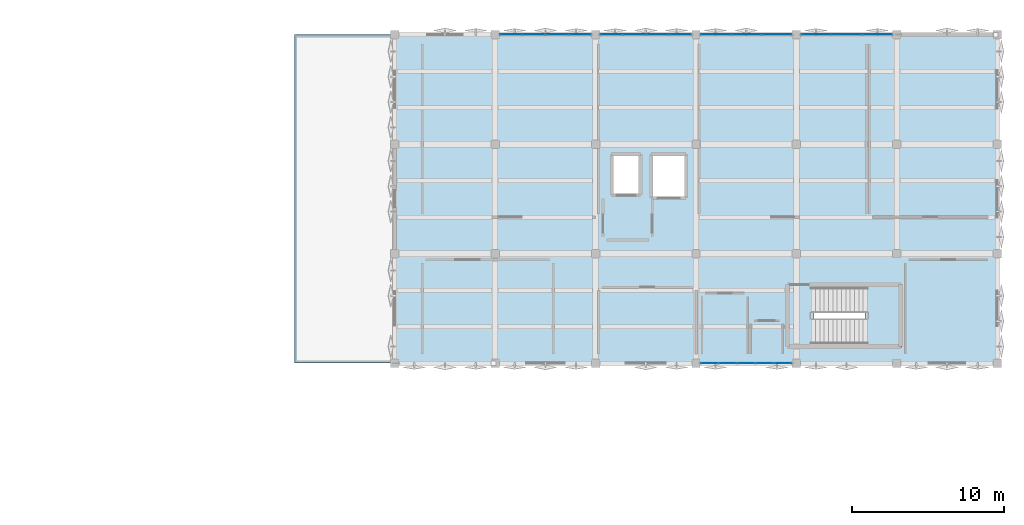
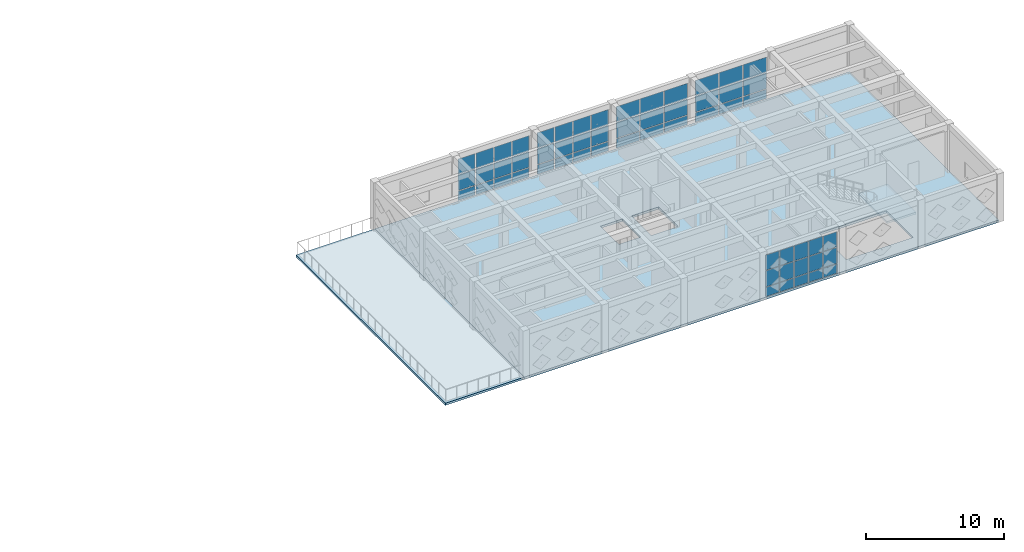
# One storey, part 24 of 39: 57 plates, 3 slabs, 6 elements without a shape of their own.
"""IFC4 building model written with IfcOpenShell, lengths in metres."""

from ifc_helpers import new_model, si_unit, direction, frame, origin, origin_2d, place, context, subcontext, project, spatial, polyline, rectangle, outline, extrude, material, layer, layer_set, type_object, element, aggregate, save


model = new_model("IFC4")

# Units and contexts
model_context = context("Model", 3, precision=1e-05, world=origin(), true_north=direction((0.0, 1.0)))
body_context = subcontext(model_context, "Body", "Model", "MODEL_VIEW")
ifc_project = project(units=[si_unit("LENGTHUNIT", "METRE"), si_unit("AREAUNIT", "SQUARE_METRE"), si_unit("VOLUMEUNIT", "CUBIC_METRE"), si_unit("PLANEANGLEUNIT", "RADIAN"), si_unit("MASSUNIT", "GRAM", prefix="KILO")], contexts=[model_context])

# Site, building, storey
site_placement = place(None, origin())
site = spatial("IfcSite", under=ifc_project, at=site_placement, CompositionType="ELEMENT")
building_placement = place(site_placement, origin())
building = spatial("IfcBuilding", under=site, at=building_placement, Name="Kharisveld Research Institute", CompositionType="ELEMENT")
storey_placement = place(building_placement, frame((0.0, 0.0, 23.10009765625)))
storey = spatial("IfcBuildingStorey", under=building, at=storey_placement, Name="L05", CompositionType="ELEMENT", Elevation=23.10009765625)

# Curtain wall, plates
ifc_material_1 = material(Name="Thermally Broken Aluminium Curtain Wall", Category="aluminium")
ifc_layer_1 = layer(ifc_material_1, 0.159912109375)
ifc_layer_set_1 = layer_set([ifc_layer_1], Name="CW_SYS_03")
curtain_wall_type_1 = type_object("IfcCurtainWallType", Name="CW_SYS_03", PredefinedType="NOTDEFINED", material=ifc_layer_set_1)
curtain_wall_1_placement = place(storey_placement, origin())
curtain_wall_1 = element("IfcCurtainWall", 1, at=curtain_wall_1_placement, inside=storey, type_object=curtain_wall_type_1, Name="CW:V2:L05:N2", PredefinedType="NOTDEFINED")
ifc_material_2 = material(Name="Low-E Double Glazing", Category="glass")
ifc_layer_2 = layer(ifc_material_2, 0.028076171875)
ifc_layer_set_2 = layer_set([ifc_layer_2], Name="CW_PNL_GLZ")
plate_type = type_object("IfcPlateType", Name="CW_PNL_GLZ", PredefinedType="CURTAIN_PANEL", material=ifc_layer_set_2)
plate_1_placement = place(storey_placement, frame((128.84375, 60.800048828125, 0.059814453125), z_axis=(0.0, 0.0, 1.0), x_axis=(1.0, 0.0, 0.0)))
plate_1 = element("IfcPlate", 2, at=plate_1_placement, type_object=plate_type, Name="CW-03 panel 1.1", PredefinedType="CURTAIN_PANEL", context=body_context, shape_type="SweptSolid", body=[
    extrude(rectangle(XDim=1.41748046875, YDim=0.028076171875, at=origin_2d()), origin(), (0.0, 0.0, 1.0), 0.81005859375),
])
plate_2_placement = place(storey_placement, frame((128.84375, 60.800048828125, 0.93017578125), z_axis=(0.0, 0.0, 1.0), x_axis=(1.0, 0.0, 0.0)))
plate_2 = element("IfcPlate", 3, at=plate_2_placement, type_object=plate_type, Name="CW-03 panel 1.2", PredefinedType="CURTAIN_PANEL", context=body_context, shape_type="SweptSolid", body=[
    extrude(rectangle(XDim=1.41748046875, YDim=0.028076171875, at=origin_2d()), origin(), (0.0, 0.0, 1.0), 1.389892578125),
])
plate_3_placement = place(storey_placement, frame((128.84375, 60.800048828125, 2.3798828125), z_axis=(0.0, 0.0, 1.0), x_axis=(1.0, 0.0, 0.0)))
plate_3 = element("IfcPlate", 4, at=plate_3_placement, type_object=plate_type, Name="CW-03 panel 1.3", PredefinedType="CURTAIN_PANEL", context=body_context, shape_type="SweptSolid", body=[
    extrude(rectangle(XDim=1.41748046875, YDim=0.028076171875, at=origin_2d()), origin(), (0.0, 0.0, 1.0), 1.340087890625),
])
plate_4_placement = place(storey_placement, frame((130.342529296875, 60.800048828125, 0.059814453125), z_axis=(0.0, 0.0, 1.0), x_axis=(1.0, 0.0, 0.0)))
plate_4 = element("IfcPlate", 5, at=plate_4_placement, type_object=plate_type, Name="CW-03 panel 2.1", PredefinedType="CURTAIN_PANEL", context=body_context, shape_type="SweptSolid", body=[
    extrude(rectangle(XDim=1.449951171875, YDim=0.028076171875, at=origin_2d()), origin(), (0.0, 0.0, 1.0), 0.81005859375),
])
plate_5_placement = place(storey_placement, frame((130.342529296875, 60.800048828125, 0.93017578125), z_axis=(0.0, 0.0, 1.0), x_axis=(1.0, 0.0, 0.0)))
plate_5 = element("IfcPlate", 6, at=plate_5_placement, type_object=plate_type, Name="CW-03 panel 2.2", PredefinedType="CURTAIN_PANEL", context=body_context, shape_type="SweptSolid", body=[
    extrude(rectangle(XDim=1.449951171875, YDim=0.028076171875, at=origin_2d()), origin(), (0.0, 0.0, 1.0), 1.389892578125),
])
plate_6_placement = place(storey_placement, frame((130.342529296875, 60.800048828125, 2.3798828125), z_axis=(0.0, 0.0, 1.0), x_axis=(1.0, 0.0, 0.0)))
plate_6 = element("IfcPlate", 7, at=plate_6_placement, type_object=plate_type, Name="CW-03 panel 2.3", PredefinedType="CURTAIN_PANEL", context=body_context, shape_type="SweptSolid", body=[
    extrude(rectangle(XDim=1.449951171875, YDim=0.028076171875, at=origin_2d()), origin(), (0.0, 0.0, 1.0), 1.340087890625),
])
plate_7_placement = place(storey_placement, frame((131.857421875, 60.800048828125, 0.059814453125), z_axis=(0.0, 0.0, 1.0), x_axis=(1.0, 0.0, 0.0)))
plate_7 = element("IfcPlate", 8, at=plate_7_placement, type_object=plate_type, Name="CW-03 panel 3.1", PredefinedType="CURTAIN_PANEL", context=body_context, shape_type="SweptSolid", body=[
    extrude(rectangle(XDim=1.449951171875, YDim=0.028076171875, at=origin_2d()), origin(), (0.0, 0.0, 1.0), 0.81005859375),
])
plate_8_placement = place(storey_placement, frame((131.857421875, 60.800048828125, 0.93017578125), z_axis=(0.0, 0.0, 1.0), x_axis=(1.0, 0.0, 0.0)))
plate_8 = element("IfcPlate", 9, at=plate_8_placement, type_object=plate_type, Name="CW-03 panel 3.2", PredefinedType="CURTAIN_PANEL", context=body_context, shape_type="SweptSolid", body=[
    extrude(rectangle(XDim=1.449951171875, YDim=0.028076171875, at=origin_2d()), origin(), (0.0, 0.0, 1.0), 1.389892578125),
])
plate_9_placement = place(storey_placement, frame((131.857421875, 60.800048828125, 2.3798828125), z_axis=(0.0, 0.0, 1.0), x_axis=(1.0, 0.0, 0.0)))
plate_9 = element("IfcPlate", 10, at=plate_9_placement, type_object=plate_type, Name="CW-03 panel 3.3", PredefinedType="CURTAIN_PANEL", context=body_context, shape_type="SweptSolid", body=[
    extrude(rectangle(XDim=1.449951171875, YDim=0.028076171875, at=origin_2d()), origin(), (0.0, 0.0, 1.0), 1.340087890625),
])
plate_10_placement = place(storey_placement, frame((133.356201171875, 60.800048828125, 0.059814453125), z_axis=(0.0, 0.0, 1.0), x_axis=(1.0, 0.0, 0.0)))
plate_10 = element("IfcPlate", 11, at=plate_10_placement, type_object=plate_type, Name="CW-03 panel 4.1", PredefinedType="CURTAIN_PANEL", context=body_context, shape_type="SweptSolid", body=[
    extrude(rectangle(XDim=1.41748046875, YDim=0.028076171875, at=origin_2d()), origin(), (0.0, 0.0, 1.0), 0.81005859375),
])
plate_11_placement = place(storey_placement, frame((133.356201171875, 60.800048828125, 0.93017578125), z_axis=(0.0, 0.0, 1.0), x_axis=(1.0, 0.0, 0.0)))
plate_11 = element("IfcPlate", 12, at=plate_11_placement, type_object=plate_type, Name="CW-03 panel 4.2", PredefinedType="CURTAIN_PANEL", context=body_context, shape_type="SweptSolid", body=[
    extrude(rectangle(XDim=1.41748046875, YDim=0.028076171875, at=origin_2d()), origin(), (0.0, 0.0, 1.0), 1.389892578125),
])
plate_12_placement = place(storey_placement, frame((133.356201171875, 60.800048828125, 2.3798828125), z_axis=(0.0, 0.0, 1.0), x_axis=(1.0, 0.0, 0.0)))
plate_12 = element("IfcPlate", 13, at=plate_12_placement, type_object=plate_type, Name="CW-03 panel 4.3", PredefinedType="CURTAIN_PANEL", context=body_context, shape_type="SweptSolid", body=[
    extrude(rectangle(XDim=1.41748046875, YDim=0.028076171875, at=origin_2d()), origin(), (0.0, 0.0, 1.0), 1.340087890625),
])
aggregate(curtain_wall_1, [plate_1, plate_2, plate_3, plate_4, plate_5, plate_6, plate_7, plate_8, plate_9, plate_10, plate_11, plate_12])

ifc_material_3 = material(Name="Thermally Broken Aluminium Curtain Wall", Category="aluminium")
ifc_layer_3 = layer(ifc_material_3, 0.159912109375)
ifc_layer_set_3 = layer_set([ifc_layer_3], Name="CW_SYS_04")
curtain_wall_type_2 = type_object("IfcCurtainWallType", Name="CW_SYS_04", PredefinedType="NOTDEFINED", material=ifc_layer_set_3)
curtain_wall_2_placement = place(storey_placement, origin())
curtain_wall_2 = element("IfcCurtainWall", 14, at=curtain_wall_2_placement, inside=storey, type_object=curtain_wall_type_2, Name="CW:V2:L05:N3", PredefinedType="NOTDEFINED")
plate_13_placement = place(storey_placement, frame((135.44384765625, 60.800048828125, 0.059814453125), z_axis=(0.0, 0.0, 1.0), x_axis=(1.0, 0.0, 0.0)))
plate_13 = element("IfcPlate", 15, at=plate_13_placement, type_object=plate_type, Name="CW-04 panel 1.1", PredefinedType="CURTAIN_PANEL", context=body_context, shape_type="SweptSolid", body=[
    extrude(rectangle(XDim=1.41748046875, YDim=0.028076171875, at=origin_2d()), origin(), (0.0, 0.0, 1.0), 0.81005859375),
])
plate_14_placement = place(storey_placement, frame((135.44384765625, 60.800048828125, 0.93017578125), z_axis=(0.0, 0.0, 1.0), x_axis=(1.0, 0.0, 0.0)))
plate_14 = element("IfcPlate", 16, at=plate_14_placement, type_object=plate_type, Name="CW-04 panel 1.2", PredefinedType="CURTAIN_PANEL", context=body_context, shape_type="SweptSolid", body=[
    extrude(rectangle(XDim=1.41748046875, YDim=0.028076171875, at=origin_2d()), origin(), (0.0, 0.0, 1.0), 1.389892578125),
])
plate_15_placement = place(storey_placement, frame((135.44384765625, 60.800048828125, 2.3798828125), z_axis=(0.0, 0.0, 1.0), x_axis=(1.0, 0.0, 0.0)))
plate_15 = element("IfcPlate", 17, at=plate_15_placement, type_object=plate_type, Name="CW-04 panel 1.3", PredefinedType="CURTAIN_PANEL", context=body_context, shape_type="SweptSolid", body=[
    extrude(rectangle(XDim=1.41748046875, YDim=0.028076171875, at=origin_2d()), origin(), (0.0, 0.0, 1.0), 1.340087890625),
])
plate_16_placement = place(storey_placement, frame((136.9423828125, 60.800048828125, 0.059814453125), z_axis=(0.0, 0.0, 1.0), x_axis=(1.0, 0.0, 0.0)))
plate_16 = element("IfcPlate", 18, at=plate_16_placement, type_object=plate_type, Name="CW-04 panel 2.1", PredefinedType="CURTAIN_PANEL", context=body_context, shape_type="SweptSolid", body=[
    extrude(rectangle(XDim=1.449951171875, YDim=0.028076171875, at=origin_2d()), origin(), (0.0, 0.0, 1.0), 0.81005859375),
])
plate_17_placement = place(storey_placement, frame((136.9423828125, 60.800048828125, 0.93017578125), z_axis=(0.0, 0.0, 1.0), x_axis=(1.0, 0.0, 0.0)))
plate_17 = element("IfcPlate", 19, at=plate_17_placement, type_object=plate_type, Name="CW-04 panel 2.2", PredefinedType="CURTAIN_PANEL", context=body_context, shape_type="SweptSolid", body=[
    extrude(rectangle(XDim=1.449951171875, YDim=0.028076171875, at=origin_2d()), origin(), (0.0, 0.0, 1.0), 1.389892578125),
])
plate_18_placement = place(storey_placement, frame((136.9423828125, 60.800048828125, 2.3798828125), z_axis=(0.0, 0.0, 1.0), x_axis=(1.0, 0.0, 0.0)))
plate_18 = element("IfcPlate", 20, at=plate_18_placement, type_object=plate_type, Name="CW-04 panel 2.3", PredefinedType="CURTAIN_PANEL", context=body_context, shape_type="SweptSolid", body=[
    extrude(rectangle(XDim=1.449951171875, YDim=0.028076171875, at=origin_2d()), origin(), (0.0, 0.0, 1.0), 1.340087890625),
])
plate_19_placement = place(storey_placement, frame((138.45751953125, 60.800048828125, 0.059814453125), z_axis=(0.0, 0.0, 1.0), x_axis=(1.0, 0.0, 0.0)))
plate_19 = element("IfcPlate", 21, at=plate_19_placement, type_object=plate_type, Name="CW-04 panel 3.1", PredefinedType="CURTAIN_PANEL", context=body_context, shape_type="SweptSolid", body=[
    extrude(rectangle(XDim=1.449951171875, YDim=0.028076171875, at=origin_2d()), origin(), (0.0, 0.0, 1.0), 0.81005859375),
])
plate_20_placement = place(storey_placement, frame((138.45751953125, 60.800048828125, 0.93017578125), z_axis=(0.0, 0.0, 1.0), x_axis=(1.0, 0.0, 0.0)))
plate_20 = element("IfcPlate", 22, at=plate_20_placement, type_object=plate_type, Name="CW-04 panel 3.2", PredefinedType="CURTAIN_PANEL", context=body_context, shape_type="SweptSolid", body=[
    extrude(rectangle(XDim=1.449951171875, YDim=0.028076171875, at=origin_2d()), origin(), (0.0, 0.0, 1.0), 1.389892578125),
])
plate_21_placement = place(storey_placement, frame((138.45751953125, 60.800048828125, 2.3798828125), z_axis=(0.0, 0.0, 1.0), x_axis=(1.0, 0.0, 0.0)))
plate_21 = element("IfcPlate", 23, at=plate_21_placement, type_object=plate_type, Name="CW-04 panel 3.3", PredefinedType="CURTAIN_PANEL", context=body_context, shape_type="SweptSolid", body=[
    extrude(rectangle(XDim=1.449951171875, YDim=0.028076171875, at=origin_2d()), origin(), (0.0, 0.0, 1.0), 1.340087890625),
])
plate_22_placement = place(storey_placement, frame((139.956298828125, 60.800048828125, 0.059814453125), z_axis=(0.0, 0.0, 1.0), x_axis=(1.0, 0.0, 0.0)))
plate_22 = element("IfcPlate", 24, at=plate_22_placement, type_object=plate_type, Name="CW-04 panel 4.1", PredefinedType="CURTAIN_PANEL", context=body_context, shape_type="SweptSolid", body=[
    extrude(rectangle(XDim=1.41748046875, YDim=0.028076171875, at=origin_2d()), origin(), (0.0, 0.0, 1.0), 0.81005859375),
])
plate_23_placement = place(storey_placement, frame((139.956298828125, 60.800048828125, 0.93017578125), z_axis=(0.0, 0.0, 1.0), x_axis=(1.0, 0.0, 0.0)))
plate_23 = element("IfcPlate", 25, at=plate_23_placement, type_object=plate_type, Name="CW-04 panel 4.2", PredefinedType="CURTAIN_PANEL", context=body_context, shape_type="SweptSolid", body=[
    extrude(rectangle(XDim=1.41748046875, YDim=0.028076171875, at=origin_2d()), origin(), (0.0, 0.0, 1.0), 1.389892578125),
])
plate_24_placement = place(storey_placement, frame((139.956298828125, 60.800048828125, 2.3798828125), z_axis=(0.0, 0.0, 1.0), x_axis=(1.0, 0.0, 0.0)))
plate_24 = element("IfcPlate", 26, at=plate_24_placement, type_object=plate_type, Name="CW-04 panel 4.3", PredefinedType="CURTAIN_PANEL", context=body_context, shape_type="SweptSolid", body=[
    extrude(rectangle(XDim=1.41748046875, YDim=0.028076171875, at=origin_2d()), origin(), (0.0, 0.0, 1.0), 1.340087890625),
])
aggregate(curtain_wall_2, [plate_13, plate_14, plate_15, plate_16, plate_17, plate_18, plate_19, plate_20, plate_21, plate_22, plate_23, plate_24])

ifc_material_4 = material(Name="Thermally Broken Aluminium Curtain Wall", Category="aluminium")
ifc_layer_4 = layer(ifc_material_4, 0.159912109375)
ifc_layer_set_4 = layer_set([ifc_layer_4], Name="CW_SYS_05")
curtain_wall_type_3 = type_object("IfcCurtainWallType", Name="CW_SYS_05", PredefinedType="NOTDEFINED", material=ifc_layer_set_4)
curtain_wall_3_placement = place(storey_placement, origin())
curtain_wall_3 = element("IfcCurtainWall", 27, at=curtain_wall_3_placement, inside=storey, type_object=curtain_wall_type_3, Name="CW:V2:L05:N4", PredefinedType="NOTDEFINED")
plate_25_placement = place(storey_placement, frame((142.296142578125, 60.800048828125, 0.059814453125), z_axis=(0.0, 0.0, 1.0), x_axis=(1.0, 0.0, 0.0)))
plate_25 = element("IfcPlate", 28, at=plate_25_placement, type_object=plate_type, Name="CW-05 panel 1.1", PredefinedType="CURTAIN_PANEL", context=body_context, shape_type="SweptSolid", body=[
    extrude(rectangle(XDim=1.922607421875, YDim=0.028076171875, at=origin_2d()), origin(), (0.0, 0.0, 1.0), 0.81005859375),
])
plate_26_placement = place(storey_placement, frame((142.296142578125, 60.800048828125, 0.93017578125), z_axis=(0.0, 0.0, 1.0), x_axis=(1.0, 0.0, 0.0)))
plate_26 = element("IfcPlate", 29, at=plate_26_placement, type_object=plate_type, Name="CW-05 panel 1.2", PredefinedType="CURTAIN_PANEL", context=body_context, shape_type="SweptSolid", body=[
    extrude(rectangle(XDim=1.922607421875, YDim=0.028076171875, at=origin_2d()), origin(), (0.0, 0.0, 1.0), 1.389892578125),
])
plate_27_placement = place(storey_placement, frame((142.296142578125, 60.800048828125, 2.3798828125), z_axis=(0.0, 0.0, 1.0), x_axis=(1.0, 0.0, 0.0)))
plate_27 = element("IfcPlate", 30, at=plate_27_placement, type_object=plate_type, Name="CW-05 panel 1.3", PredefinedType="CURTAIN_PANEL", context=body_context, shape_type="SweptSolid", body=[
    extrude(rectangle(XDim=1.922607421875, YDim=0.028076171875, at=origin_2d()), origin(), (0.0, 0.0, 1.0), 1.340087890625),
])
plate_28_placement = place(storey_placement, frame((144.300048828125, 60.800048828125, 0.059814453125), z_axis=(0.0, 0.0, 1.0), x_axis=(1.0, 0.0, 0.0)))
plate_28 = element("IfcPlate", 31, at=plate_28_placement, type_object=plate_type, Name="CW-05 panel 2.1", PredefinedType="CURTAIN_PANEL", context=body_context, shape_type="SweptSolid", body=[
    extrude(rectangle(XDim=1.955078125, YDim=0.028076171875, at=origin_2d()), origin(), (0.0, 0.0, 1.0), 0.81005859375),
])
plate_29_placement = place(storey_placement, frame((144.300048828125, 60.800048828125, 0.93017578125), z_axis=(0.0, 0.0, 1.0), x_axis=(1.0, 0.0, 0.0)))
plate_29 = element("IfcPlate", 32, at=plate_29_placement, type_object=plate_type, Name="CW-05 panel 2.2", PredefinedType="CURTAIN_PANEL", context=body_context, shape_type="SweptSolid", body=[
    extrude(rectangle(XDim=1.955078125, YDim=0.028076171875, at=origin_2d()), origin(), (0.0, 0.0, 1.0), 1.389892578125),
])
plate_30_placement = place(storey_placement, frame((144.300048828125, 60.800048828125, 2.3798828125), z_axis=(0.0, 0.0, 1.0), x_axis=(1.0, 0.0, 0.0)))
plate_30 = element("IfcPlate", 33, at=plate_30_placement, type_object=plate_type, Name="CW-05 panel 2.3", PredefinedType="CURTAIN_PANEL", context=body_context, shape_type="SweptSolid", body=[
    extrude(rectangle(XDim=1.955078125, YDim=0.028076171875, at=origin_2d()), origin(), (0.0, 0.0, 1.0), 1.340087890625),
])
plate_31_placement = place(storey_placement, frame((146.3037109375, 60.800048828125, 0.059814453125), z_axis=(0.0, 0.0, 1.0), x_axis=(1.0, 0.0, 0.0)))
plate_31 = element("IfcPlate", 34, at=plate_31_placement, type_object=plate_type, Name="CW-05 panel 3.1", PredefinedType="CURTAIN_PANEL", context=body_context, shape_type="SweptSolid", body=[
    extrude(rectangle(XDim=1.922607421875, YDim=0.028076171875, at=origin_2d()), origin(), (0.0, 0.0, 1.0), 0.81005859375),
])
plate_32_placement = place(storey_placement, frame((146.3037109375, 60.800048828125, 0.93017578125), z_axis=(0.0, 0.0, 1.0), x_axis=(1.0, 0.0, 0.0)))
plate_32 = element("IfcPlate", 35, at=plate_32_placement, type_object=plate_type, Name="CW-05 panel 3.2", PredefinedType="CURTAIN_PANEL", context=body_context, shape_type="SweptSolid", body=[
    extrude(rectangle(XDim=1.922607421875, YDim=0.028076171875, at=origin_2d()), origin(), (0.0, 0.0, 1.0), 1.389892578125),
])
plate_33_placement = place(storey_placement, frame((146.3037109375, 60.800048828125, 2.3798828125), z_axis=(0.0, 0.0, 1.0), x_axis=(1.0, 0.0, 0.0)))
plate_33 = element("IfcPlate", 36, at=plate_33_placement, type_object=plate_type, Name="CW-05 panel 3.3", PredefinedType="CURTAIN_PANEL", context=body_context, shape_type="SweptSolid", body=[
    extrude(rectangle(XDim=1.922607421875, YDim=0.028076171875, at=origin_2d()), origin(), (0.0, 0.0, 1.0), 1.340087890625),
])
aggregate(curtain_wall_3, [plate_25, plate_26, plate_27, plate_28, plate_29, plate_30, plate_31, plate_32, plate_33])

ifc_material_5 = material(Name="Thermally Broken Aluminium Curtain Wall", Category="aluminium")
ifc_layer_5 = layer(ifc_material_5, 0.159912109375)
ifc_layer_set_5 = layer_set([ifc_layer_5], Name="CW_SYS_06")
curtain_wall_type_4 = type_object("IfcCurtainWallType", Name="CW_SYS_06", PredefinedType="NOTDEFINED", material=ifc_layer_set_5)
curtain_wall_4_placement = place(storey_placement, origin())
curtain_wall_4 = element("IfcCurtainWall", 37, at=curtain_wall_4_placement, inside=storey, type_object=curtain_wall_type_4, Name="CW:V2:L05:N5", PredefinedType="NOTDEFINED")
plate_34_placement = place(storey_placement, frame((148.896240234375, 60.800048828125, 0.059814453125), z_axis=(0.0, 0.0, 1.0), x_axis=(1.0, 0.0, 0.0)))
plate_34 = element("IfcPlate", 38, at=plate_34_placement, type_object=plate_type, Name="CW-06 panel 1.1", PredefinedType="CURTAIN_PANEL", context=body_context, shape_type="SweptSolid", body=[
    extrude(rectangle(XDim=1.922607421875, YDim=0.028076171875, at=origin_2d()), origin(), (0.0, 0.0, 1.0), 0.81005859375),
])
plate_35_placement = place(storey_placement, frame((148.896240234375, 60.800048828125, 0.93017578125), z_axis=(0.0, 0.0, 1.0), x_axis=(1.0, 0.0, 0.0)))
plate_35 = element("IfcPlate", 39, at=plate_35_placement, type_object=plate_type, Name="CW-06 panel 1.2", PredefinedType="CURTAIN_PANEL", context=body_context, shape_type="SweptSolid", body=[
    extrude(rectangle(XDim=1.922607421875, YDim=0.028076171875, at=origin_2d()), origin(), (0.0, 0.0, 1.0), 1.389892578125),
])
plate_36_placement = place(storey_placement, frame((148.896240234375, 60.800048828125, 2.3798828125), z_axis=(0.0, 0.0, 1.0), x_axis=(1.0, 0.0, 0.0)))
plate_36 = element("IfcPlate", 40, at=plate_36_placement, type_object=plate_type, Name="CW-06 panel 1.3", PredefinedType="CURTAIN_PANEL", context=body_context, shape_type="SweptSolid", body=[
    extrude(rectangle(XDim=1.922607421875, YDim=0.028076171875, at=origin_2d()), origin(), (0.0, 0.0, 1.0), 1.340087890625),
])
plate_37_placement = place(storey_placement, frame((150.89990234375, 60.800048828125, 0.059814453125), z_axis=(0.0, 0.0, 1.0), x_axis=(1.0, 0.0, 0.0)))
plate_37 = element("IfcPlate", 41, at=plate_37_placement, type_object=plate_type, Name="CW-06 panel 2.1", PredefinedType="CURTAIN_PANEL", context=body_context, shape_type="SweptSolid", body=[
    extrude(rectangle(XDim=1.955078125, YDim=0.028076171875, at=origin_2d()), origin(), (0.0, 0.0, 1.0), 0.81005859375),
])
plate_38_placement = place(storey_placement, frame((150.89990234375, 60.800048828125, 0.93017578125), z_axis=(0.0, 0.0, 1.0), x_axis=(1.0, 0.0, 0.0)))
plate_38 = element("IfcPlate", 42, at=plate_38_placement, type_object=plate_type, Name="CW-06 panel 2.2", PredefinedType="CURTAIN_PANEL", context=body_context, shape_type="SweptSolid", body=[
    extrude(rectangle(XDim=1.955078125, YDim=0.028076171875, at=origin_2d()), origin(), (0.0, 0.0, 1.0), 1.389892578125),
])
plate_39_placement = place(storey_placement, frame((150.89990234375, 60.800048828125, 2.3798828125), z_axis=(0.0, 0.0, 1.0), x_axis=(1.0, 0.0, 0.0)))
plate_39 = element("IfcPlate", 43, at=plate_39_placement, type_object=plate_type, Name="CW-06 panel 2.3", PredefinedType="CURTAIN_PANEL", context=body_context, shape_type="SweptSolid", body=[
    extrude(rectangle(XDim=1.955078125, YDim=0.028076171875, at=origin_2d()), origin(), (0.0, 0.0, 1.0), 1.340087890625),
])
plate_40_placement = place(storey_placement, frame((152.90380859375, 60.800048828125, 0.059814453125), z_axis=(0.0, 0.0, 1.0), x_axis=(1.0, 0.0, 0.0)))
plate_40 = element("IfcPlate", 44, at=plate_40_placement, type_object=plate_type, Name="CW-06 panel 3.1", PredefinedType="CURTAIN_PANEL", context=body_context, shape_type="SweptSolid", body=[
    extrude(rectangle(XDim=1.922607421875, YDim=0.028076171875, at=origin_2d()), origin(), (0.0, 0.0, 1.0), 0.81005859375),
])
plate_41_placement = place(storey_placement, frame((152.90380859375, 60.800048828125, 0.93017578125), z_axis=(0.0, 0.0, 1.0), x_axis=(1.0, 0.0, 0.0)))
plate_41 = element("IfcPlate", 45, at=plate_41_placement, type_object=plate_type, Name="CW-06 panel 3.2", PredefinedType="CURTAIN_PANEL", context=body_context, shape_type="SweptSolid", body=[
    extrude(rectangle(XDim=1.922607421875, YDim=0.028076171875, at=origin_2d()), origin(), (0.0, 0.0, 1.0), 1.389892578125),
])
plate_42_placement = place(storey_placement, frame((152.90380859375, 60.800048828125, 2.3798828125), z_axis=(0.0, 0.0, 1.0), x_axis=(1.0, 0.0, 0.0)))
plate_42 = element("IfcPlate", 46, at=plate_42_placement, type_object=plate_type, Name="CW-06 panel 3.3", PredefinedType="CURTAIN_PANEL", context=body_context, shape_type="SweptSolid", body=[
    extrude(rectangle(XDim=1.922607421875, YDim=0.028076171875, at=origin_2d()), origin(), (0.0, 0.0, 1.0), 1.340087890625),
])
aggregate(curtain_wall_4, [plate_34, plate_35, plate_36, plate_37, plate_38, plate_39, plate_40, plate_41, plate_42])

ifc_material_6 = material(Name="Thermally Broken Aluminium Curtain Wall", Category="aluminium")
ifc_layer_6 = layer(ifc_material_6, 0.159912109375)
ifc_layer_set_6 = layer_set([ifc_layer_6], Name="CW_SYS_01")
curtain_wall_type_5 = type_object("IfcCurtainWallType", Name="CW_SYS_01", PredefinedType="NOTDEFINED", material=ifc_layer_set_6)
curtain_wall_5_placement = place(storey_placement, origin())
curtain_wall_5 = element("IfcCurtainWall", 47, at=curtain_wall_5_placement, inside=storey, type_object=curtain_wall_type_5, Name="CW:V2:L05:S5", PredefinedType="NOTDEFINED")
plate_43_placement = place(storey_placement, frame((146.707763671875, 39.199951171875, 0.059814453125), z_axis=(0.0, 0.0, 1.0), x_axis=(-1.0, 0.0, 0.0)))
plate_43 = element("IfcPlate", 48, at=plate_43_placement, type_object=plate_type, Name="CW-01 panel 1.1", PredefinedType="CURTAIN_PANEL", context=body_context, shape_type="SweptSolid", body=[
    extrude(rectangle(XDim=1.114501953125, YDim=0.028076171875, at=origin_2d()), origin(), (0.0, 0.0, 1.0), 0.81005859375),
])
plate_44_placement = place(storey_placement, frame((146.707763671875, 39.199951171875, 0.93017578125), z_axis=(0.0, 0.0, 1.0), x_axis=(-1.0, 0.0, 0.0)))
plate_44 = element("IfcPlate", 49, at=plate_44_placement, type_object=plate_type, Name="CW-01 panel 1.2", PredefinedType="CURTAIN_PANEL", context=body_context, shape_type="SweptSolid", body=[
    extrude(rectangle(XDim=1.114501953125, YDim=0.028076171875, at=origin_2d()), origin(), (0.0, 0.0, 1.0), 1.389892578125),
])
plate_45_placement = place(storey_placement, frame((146.707763671875, 39.199951171875, 2.3798828125), z_axis=(0.0, 0.0, 1.0), x_axis=(-1.0, 0.0, 0.0)))
plate_45 = element("IfcPlate", 50, at=plate_45_placement, type_object=plate_type, Name="CW-01 panel 1.3", PredefinedType="CURTAIN_PANEL", context=body_context, shape_type="SweptSolid", body=[
    extrude(rectangle(XDim=1.114501953125, YDim=0.028076171875, at=origin_2d()), origin(), (0.0, 0.0, 1.0), 1.340087890625),
])
plate_46_placement = place(storey_placement, frame((145.511962890625, 39.199951171875, 0.059814453125), z_axis=(0.0, 0.0, 1.0), x_axis=(-1.0, 0.0, 0.0)))
plate_46 = element("IfcPlate", 51, at=plate_46_placement, type_object=plate_type, Name="CW-01 panel 2.1", PredefinedType="CURTAIN_PANEL", context=body_context, shape_type="SweptSolid", body=[
    extrude(rectangle(XDim=1.14697265625, YDim=0.028076171875, at=origin_2d()), origin(), (0.0, 0.0, 1.0), 0.81005859375),
])
plate_47_placement = place(storey_placement, frame((145.511962890625, 39.199951171875, 0.93017578125), z_axis=(0.0, 0.0, 1.0), x_axis=(-1.0, 0.0, 0.0)))
plate_47 = element("IfcPlate", 52, at=plate_47_placement, type_object=plate_type, Name="CW-01 panel 2.2", PredefinedType="CURTAIN_PANEL", context=body_context, shape_type="SweptSolid", body=[
    extrude(rectangle(XDim=1.14697265625, YDim=0.028076171875, at=origin_2d()), origin(), (0.0, 0.0, 1.0), 1.389892578125),
])
plate_48_placement = place(storey_placement, frame((145.511962890625, 39.199951171875, 2.3798828125), z_axis=(0.0, 0.0, 1.0), x_axis=(-1.0, 0.0, 0.0)))
plate_48 = element("IfcPlate", 53, at=plate_48_placement, type_object=plate_type, Name="CW-01 panel 2.3", PredefinedType="CURTAIN_PANEL", context=body_context, shape_type="SweptSolid", body=[
    extrude(rectangle(XDim=1.14697265625, YDim=0.028076171875, at=origin_2d()), origin(), (0.0, 0.0, 1.0), 1.340087890625),
])
plate_49_placement = place(storey_placement, frame((144.300048828125, 39.199951171875, 0.059814453125), z_axis=(0.0, 0.0, 1.0), x_axis=(-1.0, 0.0, 0.0)))
plate_49 = element("IfcPlate", 54, at=plate_49_placement, type_object=plate_type, Name="CW-01 panel 3.1", PredefinedType="CURTAIN_PANEL", context=body_context, shape_type="SweptSolid", body=[
    extrude(rectangle(XDim=1.14697265625, YDim=0.028076171875, at=origin_2d()), origin(), (0.0, 0.0, 1.0), 0.81005859375),
])
plate_50_placement = place(storey_placement, frame((144.300048828125, 39.199951171875, 0.93017578125), z_axis=(0.0, 0.0, 1.0), x_axis=(-1.0, 0.0, 0.0)))
plate_50 = element("IfcPlate", 55, at=plate_50_placement, type_object=plate_type, Name="CW-01 panel 3.2", PredefinedType="CURTAIN_PANEL", context=body_context, shape_type="SweptSolid", body=[
    extrude(rectangle(XDim=1.14697265625, YDim=0.028076171875, at=origin_2d()), origin(), (0.0, 0.0, 1.0), 1.389892578125),
])
plate_51_placement = place(storey_placement, frame((144.300048828125, 39.199951171875, 2.3798828125), z_axis=(0.0, 0.0, 1.0), x_axis=(-1.0, 0.0, 0.0)))
plate_51 = element("IfcPlate", 56, at=plate_51_placement, type_object=plate_type, Name="CW-01 panel 3.3", PredefinedType="CURTAIN_PANEL", context=body_context, shape_type="SweptSolid", body=[
    extrude(rectangle(XDim=1.14697265625, YDim=0.028076171875, at=origin_2d()), origin(), (0.0, 0.0, 1.0), 1.340087890625),
])
plate_52_placement = place(storey_placement, frame((143.087890625, 39.199951171875, 0.059814453125), z_axis=(0.0, 0.0, 1.0), x_axis=(-1.0, 0.0, 0.0)))
plate_52 = element("IfcPlate", 57, at=plate_52_placement, type_object=plate_type, Name="CW-01 panel 4.1", PredefinedType="CURTAIN_PANEL", context=body_context, shape_type="SweptSolid", body=[
    extrude(rectangle(XDim=1.14697265625, YDim=0.028076171875, at=origin_2d()), origin(), (0.0, 0.0, 1.0), 0.81005859375),
])
plate_53_placement = place(storey_placement, frame((143.087890625, 39.199951171875, 0.93017578125), z_axis=(0.0, 0.0, 1.0), x_axis=(-1.0, 0.0, 0.0)))
plate_53 = element("IfcPlate", 58, at=plate_53_placement, type_object=plate_type, Name="CW-01 panel 4.2", PredefinedType="CURTAIN_PANEL", context=body_context, shape_type="SweptSolid", body=[
    extrude(rectangle(XDim=1.14697265625, YDim=0.028076171875, at=origin_2d()), origin(), (0.0, 0.0, 1.0), 1.389892578125),
])
plate_54_placement = place(storey_placement, frame((143.087890625, 39.199951171875, 2.3798828125), z_axis=(0.0, 0.0, 1.0), x_axis=(-1.0, 0.0, 0.0)))
plate_54 = element("IfcPlate", 59, at=plate_54_placement, type_object=plate_type, Name="CW-01 panel 4.3", PredefinedType="CURTAIN_PANEL", context=body_context, shape_type="SweptSolid", body=[
    extrude(rectangle(XDim=1.14697265625, YDim=0.028076171875, at=origin_2d()), origin(), (0.0, 0.0, 1.0), 1.340087890625),
])
plate_55_placement = place(storey_placement, frame((141.892333984375, 39.199951171875, 0.059814453125), z_axis=(0.0, 0.0, 1.0), x_axis=(-1.0, 0.0, 0.0)))
plate_55 = element("IfcPlate", 60, at=plate_55_placement, type_object=plate_type, Name="CW-01 panel 5.1", PredefinedType="CURTAIN_PANEL", context=body_context, shape_type="SweptSolid", body=[
    extrude(rectangle(XDim=1.114501953125, YDim=0.028076171875, at=origin_2d()), origin(), (0.0, 0.0, 1.0), 0.81005859375),
])
plate_56_placement = place(storey_placement, frame((141.892333984375, 39.199951171875, 0.93017578125), z_axis=(0.0, 0.0, 1.0), x_axis=(-1.0, 0.0, 0.0)))
plate_56 = element("IfcPlate", 61, at=plate_56_placement, type_object=plate_type, Name="CW-01 panel 5.2", PredefinedType="CURTAIN_PANEL", context=body_context, shape_type="SweptSolid", body=[
    extrude(rectangle(XDim=1.114501953125, YDim=0.028076171875, at=origin_2d()), origin(), (0.0, 0.0, 1.0), 1.389892578125),
])
plate_57_placement = place(storey_placement, frame((141.892333984375, 39.199951171875, 2.3798828125), z_axis=(0.0, 0.0, 1.0), x_axis=(-1.0, 0.0, 0.0)))
plate_57 = element("IfcPlate", 62, at=plate_57_placement, type_object=plate_type, Name="CW-01 panel 5.3", PredefinedType="CURTAIN_PANEL", context=body_context, shape_type="SweptSolid", body=[
    extrude(rectangle(XDim=1.114501953125, YDim=0.028076171875, at=origin_2d()), origin(), (0.0, 0.0, 1.0), 1.340087890625),
])
aggregate(curtain_wall_5, [plate_43, plate_44, plate_45, plate_46, plate_47, plate_48, plate_49, plate_50, plate_51, plate_52, plate_53, plate_54, plate_55, plate_56, plate_57])

# Slabs
ifc_material_7 = material(Name="Concrete C40/50", Category="concrete")
ifc_layer_7 = layer(ifc_material_7, 0.18505859375)
ifc_layer_set_7 = layer_set([ifc_layer_7], Name="SL_EXT_185")
slab_type_1 = type_object("IfcSlabType", Name="SL_EXT_185", PredefinedType="FLOOR", material=ifc_layer_set_7)
slab_1_placement = place(storey_placement, frame((0.0, 0.0, -0.18505859375)))
element("IfcSlab", 63, at=slab_1_placement, inside=storey, type_object=slab_type_1, Name="SLAB:V2:L05:TERRACE", PredefinedType="FLOOR", context=body_context, shape_type="SweptSolid", body=[
    extrude(outline(polyline([(114.60009765625, 39.199951171875), (121.199951171875, 39.199951171875), (121.199951171875, 60.800048828125), (114.60009765625, 60.800048828125), (114.60009765625, 39.199951171875)])), origin(), (0.0, 0.0, 1.0), 0.18505859375),
])
ifc_material_8 = material(Name="Concrete C40/50", Category="concrete")
ifc_layer_8 = layer(ifc_material_8, 0.199951171875)
ifc_layer_set_8 = layer_set([ifc_layer_8], Name="SL_FLR_200")
slab_type_2 = type_object("IfcSlabType", Name="SL_FLR_200", PredefinedType="FLOOR", material=ifc_layer_set_8)
slab_2_placement = place(storey_placement, frame((0.0, 0.0, -0.2001953125)))
element("IfcSlab", 64, at=slab_2_placement, inside=storey, type_object=slab_type_2, Name="SLAB:V2:L05:MAIN", PredefinedType="FLOOR", context=body_context, shape_type="SweptSolid", body=[
    extrude(outline(polyline([(121.199951171875, 39.199951171875), (160.800048828125, 39.199951171875), (160.800048828125, 60.800048828125), (121.199951171875, 60.800048828125), (121.199951171875, 39.199951171875)]), holes=[polyline([(154.35009765625, 44.260009765625), (154.35009765625, 40.39990234375), (148.75, 40.39990234375), (148.75, 44.260009765625), (154.35009765625, 44.260009765625)]), polyline([(140.320068359375, 50.080078125), (138.080078125, 50.080078125), (138.080078125, 52.919921875), (140.320068359375, 52.919921875), (140.320068359375, 50.080078125)]), polyline([(137.320068359375, 50.280029296875), (135.47998046875, 50.280029296875), (135.47998046875, 52.919921875), (137.320068359375, 52.919921875), (137.320068359375, 50.280029296875)])]), origin(), (0.0, 0.0, 1.0), 0.2001953125),
])

# Stair, slab
ifc_material_9 = material(Name="Concrete C40/50", Category="concrete")
stair_type = type_object("IfcStairType", Name="ST_EXIT_170", PredefinedType="TWO_STRAIGHT_RUN_STAIR", material=ifc_material_9)
stair_placement = place(storey_placement, origin())
stair = element("IfcStair", 65, at=stair_placement, inside=storey, type_object=stair_type, Name="STR:ST3:L05", PredefinedType="TWO_STRAIGHT_RUN_STAIR")
ifc_material_10 = material(Name="Concrete C40/50", Category="concrete")
ifc_layer_9 = layer(ifc_material_10, 0.179931640625)
ifc_layer_set_9 = layer_set([ifc_layer_9], Name="SL_LND_180")
slab_type_3 = type_object("IfcSlabType", Name="SL_LND_180", PredefinedType="LANDING", material=ifc_layer_set_9)
slab_3_placement = place(storey_placement, frame((0.0, 0.0, 2.06982421875)))
slab_3 = element("IfcSlab", 66, at=slab_3_placement, type_object=slab_type_3, Name="ST-03 landing 1", PredefinedType="LANDING", context=body_context, shape_type="SweptSolid", body=[
    extrude(outline(polyline([(152.094970703125, 40.27001953125), (154.5, 40.27001953125), (154.5, 44.389892578125), (152.094970703125, 44.389892578125), (152.094970703125, 40.27001953125)])), origin(), (0.0, 0.0, 1.0), 0.18017578125),
])
aggregate(stair, [slab_3])

save(model, "model.ifc")
